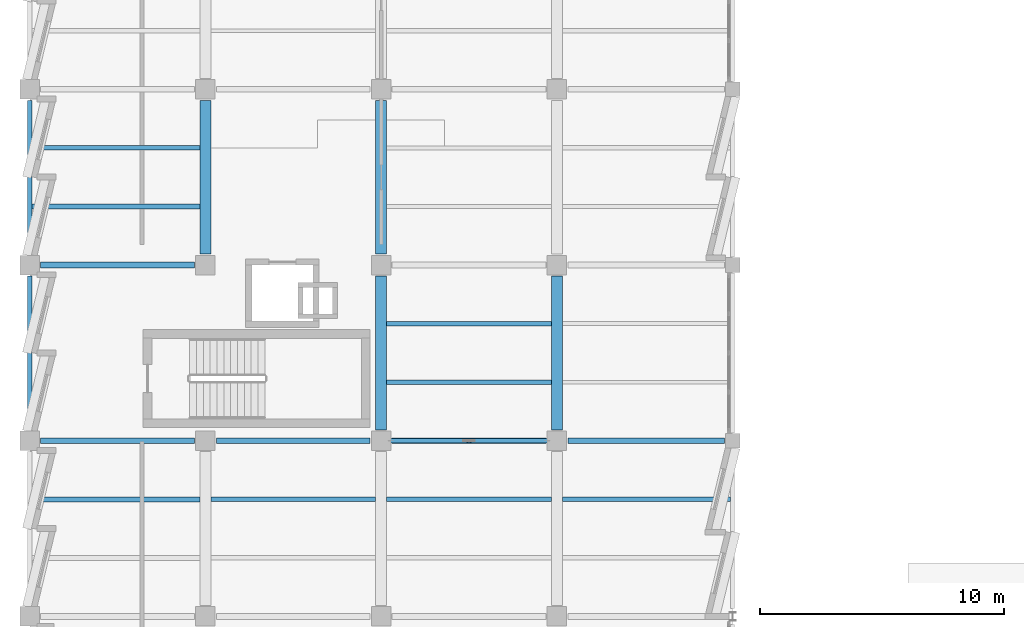
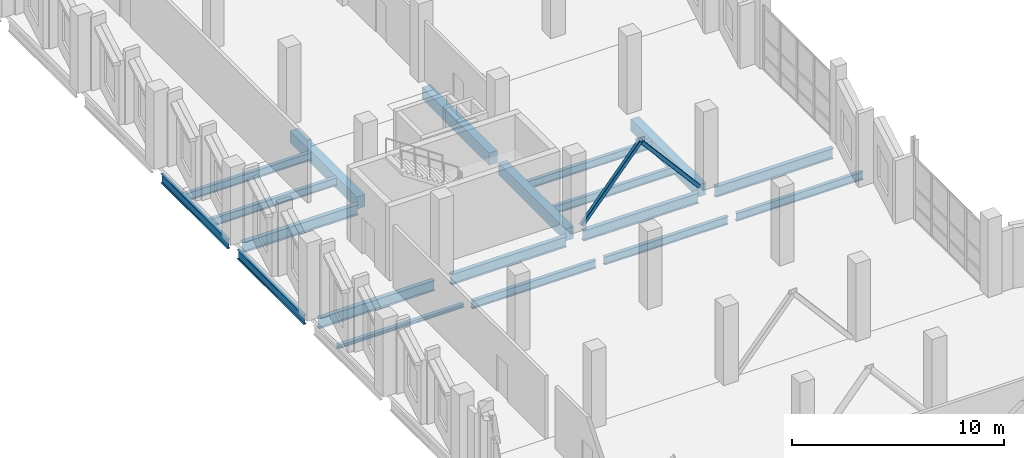
# One storey, part 31 of 123: 19 beams, 2 members.
"""IFC4 building model written with IfcOpenShell, lengths in metres."""

import ifcopenshell
import ifcopenshell.guid

model = None  # the IFC model being written
_history = None  # IfcOwnerHistory: only IFC2X3 demands one
_inside = {}  # id of a spatial element -> (the spatial element, [elements in it])
_under = {}  # id of a project, library or spatial element -> (it, [spatial elements below it])
_declared = {}  # id of a project -> (the project, [libraries it declares])
_typed = {}  # id of a type object -> (the type object, [elements of that type])
_made_of = {}  # id of a material, layer set ... -> (it, [elements and type objects made of it])


def new_model(schema):
    """Start an empty IFC model of exactly this schema.

    Asked for "IFC4X3", IfcOpenShell would pick the latest addendum, in which some entities
    have other attributes; the version numbers below select the first issue.
    IFC2X3 requires an IfcOwnerHistory on every rooted entity: one is made here for all.
    """
    global model, _history
    if schema == "IFC4X3":
        model = ifcopenshell.file(schema_version=(4, 3, 0, 0))
    else:
        model = ifcopenshell.file(schema=schema)
    _inside.clear()
    _under.clear()
    _declared.clear()
    _typed.clear()
    _made_of.clear()
    _history = None
    if model.schema == "IFC2X3":
        org = make("IfcOrganization", Name="unknown")
        user = make(
            "IfcPersonAndOrganization",
            ThePerson=make("IfcPerson", FamilyName="unknown"),
            TheOrganization=org,
        )
        app = make(
            "IfcApplication",
            ApplicationDeveloper=org,
            Version="unknown",
            ApplicationFullName="unknown",
            ApplicationIdentifier="unknown",
        )
        _history = make(
            "IfcOwnerHistory",
            OwningUser=user,
            OwningApplication=app,
            ChangeAction="ADDED",
            CreationDate=0,
        )
    return model


def make(cls, **values):
    """One entity of the class cls with the attributes given. An attribute that is None is left unset."""
    return model.create_entity(
        cls, **{name: value for name, value in values.items() if value is not None}
    )


def rooted(cls, **values):
    """An entity with a GlobalId (a new one), such as an element, a storey or a relation."""
    return make(cls, GlobalId=ifcopenshell.guid.new(), OwnerHistory=_history, **values)


def si_unit(unit_type, name, prefix=None):
    """IfcSIUnit, for example si_unit("LENGTHUNIT", "METRE", prefix="MILLI")."""
    return make("IfcSIUnit", UnitType=unit_type, Prefix=prefix, Name=name)


def assignment(units):
    """IfcUnitAssignment: the units of a project."""
    return None if units is None else make("IfcUnitAssignment", Units=units)


def point(xyz):
    """IfcCartesianPoint."""
    return None if xyz is None else make("IfcCartesianPoint", Coordinates=xyz)


def direction(xyz):
    """IfcDirection."""
    return None if xyz is None else make("IfcDirection", DirectionRatios=xyz)


def frame(location, z_axis=None, x_axis=None):
    """IfcAxis2Placement3D, a coordinate frame: its origin and axes. An axis left out is left unset."""
    return make(
        "IfcAxis2Placement3D",
        Location=point(location),
        Axis=direction(z_axis),
        RefDirection=direction(x_axis),
    )


def frame_2d(location, x_axis=None):
    """IfcAxis2Placement2D, a coordinate frame in the plane: its origin and x axis."""
    return make(
        "IfcAxis2Placement2D", Location=point(location), RefDirection=direction(x_axis)
    )


def origin():
    """The frame at (0, 0, 0) with its axes left unset."""
    return frame((0.0, 0.0, 0.0))


def origin_2d():
    """The frame at (0, 0) in the plane with its x axis left unset."""
    return frame_2d((0.0, 0.0))


def place(relative_to, where):
    """IfcLocalPlacement: puts the frame where relative to a parent placement (None: the world)."""
    return make(
        "IfcLocalPlacement", PlacementRelTo=relative_to, RelativePlacement=where
    )


def context(
    kind, dimensions, precision=None, world=None, true_north=None, identifier=None
):
    """IfcGeometricRepresentationContext, for example the 3D "Model" context."""
    return make(
        "IfcGeometricRepresentationContext",
        ContextIdentifier=identifier,
        ContextType=kind,
        CoordinateSpaceDimension=dimensions,
        Precision=precision,
        WorldCoordinateSystem=world,
        TrueNorth=true_north,
    )


def subcontext(parent, identifier, kind, view, scale=None):
    """IfcGeometricRepresentationSubContext, for example "Body" below "Model"."""
    return make(
        "IfcGeometricRepresentationSubContext",
        ContextIdentifier=identifier,
        ContextType=kind,
        ParentContext=parent,
        TargetScale=scale,
        TargetView=view,
    )


def project(units=None, contexts=None):
    """IfcProject with its units and contexts."""
    return rooted(
        "IfcProject",
        Name="project",
        RepresentationContexts=contexts,
        UnitsInContext=assignment(units),
    )


def spatial(cls, under=None, at=None, **own):
    """A site, building, storey or space (cls), placed at a placement, below another one or the project."""
    s = rooted(cls, ObjectPlacement=at, **own)
    if under is not None:
        _under.setdefault(under.id(), (under, []))[1].append(s)
    return s


def profile(cls, at=None, kind="AREA", **sizes):
    """A parametric profile (cls). Its sizes go by their IFC names, for example OverallWidth=200.0."""
    return make(cls, ProfileType=kind, Position=at, **sizes)


def rectangle(**sizes):
    """IfcRectangleProfileDef."""
    return profile("IfcRectangleProfileDef", **sizes)


def hollow_rectangle(**sizes):
    """IfcRectangleHollowProfileDef."""
    return profile("IfcRectangleHollowProfileDef", **sizes)


def i_section(**sizes):
    """IfcIShapeProfileDef."""
    return profile("IfcIShapeProfileDef", **sizes)


def extrude(swept, where, along, depth):
    """IfcExtrudedAreaSolid: the profile swept, set in the frame where, extruded along a direction by depth."""
    return make(
        "IfcExtrudedAreaSolid",
        SweptArea=swept,
        Position=where,
        ExtrudedDirection=direction(along),
        Depth=depth,
    )


def shape(context_of_items, identifier, shape_type, items):
    """IfcShapeRepresentation: the items that make up one representation, for example the "Body"."""
    return make(
        "IfcShapeRepresentation",
        ContextOfItems=context_of_items,
        RepresentationIdentifier=identifier,
        RepresentationType=shape_type,
        Items=items,
    )


def material(Name=None, Category=None):
    """IfcMaterial."""
    return make("IfcMaterial", Name=Name, Category=Category)


def material_profile(
    of_material, cross_section, Name=None, Category=None, Priority=None
):
    """IfcMaterialProfile: a cross section and its material."""
    return make(
        "IfcMaterialProfile",
        Name=Name,
        Material=of_material,
        Profile=cross_section,
        Priority=Priority,
        Category=Category,
    )


def profile_set(profiles, Name=None, composite=None):
    """IfcMaterialProfileSet."""
    return make(
        "IfcMaterialProfileSet",
        Name=Name,
        MaterialProfiles=profiles,
        CompositeProfile=composite,
    )


def made_of(thing, what):
    """Note that an element or type object is made of a material, layer set ...; save() writes the relation."""
    if what is not None:
        _made_of.setdefault(what.id(), (what, []))[1].append(thing)
    return thing


def type_object(cls, material=None, **own):
    """A type object (cls), such as IfcWallType, which elements share."""
    return made_of(rooted(cls, **own), material)


def element(
    cls,
    number,
    at=None,
    inside=None,
    cuts=None,
    type_object=None,
    material=None,
    context=None,
    identifier="Body",
    shape_type=None,
    held_by="IfcProductDefinitionShape",
    body=None,
    shapes=None,
    **own,
):
    """One element of the class cls, such as IfcWall. Its Tag is "e" and its number.

    at: its placement. inside: the storey or other place that contains it. cuts: it is an
    opening in that element (IfcRelVoidsElement). A single representation is given by context,
    identifier, shape_type and body (its items); several are given by shapes. held_by: the class
    of the entity that holds the representations. save() writes the other relations.
    """
    e = rooted(cls, Tag="e%d" % number, ObjectPlacement=at, **own)
    if body is not None:
        shapes = [shape(context, identifier, shape_type, body)]
    if shapes is not None:
        e.Representation = make(held_by, Representations=shapes)
    if inside is not None:
        _inside.setdefault(inside.id(), (inside, []))[1].append(e)
    if cuts is not None:
        rooted(
            "IfcRelVoidsElement", RelatingBuildingElement=cuts, RelatedOpeningElement=e
        )
    if type_object is not None:
        _typed.setdefault(type_object.id(), (type_object, []))[1].append(e)
    return made_of(e, material)


def aggregate(whole, parts):
    """IfcRelAggregates: a whole, such as a stair, and the parts it consists of."""
    return rooted("IfcRelAggregates", RelatingObject=whole, RelatedObjects=parts)


def save(model, path):
    """Write the relations noted so far, then the file.

    IfcRelAggregates (storeys below a building ...), IfcRelContainedInSpatialStructure (elements
    in a storey), IfcRelDefinesByType, IfcRelAssociatesMaterial and IfcRelDeclares: one each for
    every whole, place, type object, material and project.
    """
    for whole, parts in _under.values():
        aggregate(whole, parts)
    for where, things in _inside.values():
        rooted(
            "IfcRelContainedInSpatialStructure",
            RelatedElements=things,
            RelatingStructure=where,
        )
    for kind, things in _typed.values():
        rooted("IfcRelDefinesByType", RelatedObjects=things, RelatingType=kind)
    for what, things in _made_of.values():
        rooted("IfcRelAssociatesMaterial", RelatedObjects=things, RelatingMaterial=what)
    for by, libraries in _declared.values():
        rooted("IfcRelDeclares", RelatingContext=by, RelatedDefinitions=libraries)
    model.write(path)


model = new_model("IFC4")

# Units and contexts
model_context = context("Model", 3, precision=1e-05, world=origin(), true_north=direction((0.0, 1.0)))
body_context = subcontext(model_context, "Body", "Model", "MODEL_VIEW")
ifc_project = project(units=[si_unit("LENGTHUNIT", "METRE"), si_unit("AREAUNIT", "SQUARE_METRE"), si_unit("VOLUMEUNIT", "CUBIC_METRE"), si_unit("PLANEANGLEUNIT", "RADIAN"), si_unit("MASSUNIT", "GRAM", prefix="KILO")], contexts=[model_context])

# Site, building, storey
site_placement = place(None, origin())
site = spatial("IfcSite", under=ifc_project, at=site_placement, CompositionType="ELEMENT")
building_placement = place(site_placement, origin())
building = spatial("IfcBuilding", under=site, at=building_placement, Name="Kalmorath City Hall", CompositionType="ELEMENT")
storey_placement = place(building_placement, frame((0.0, 0.0, 10.199951171875)))
storey = spatial("IfcBuildingStorey", under=building, at=storey_placement, Name="L02", CompositionType="ELEMENT", Elevation=10.199951171875)

# Beams
ifc_material_1 = material(Name="Concrete C40/50", Category="concrete")
ifc_material_profile_1 = material_profile(ifc_material_1, rectangle(XDim=0.449951171875, YDim=0.699951171875, at=origin_2d()), Name="RC-BM-450X700")
ifc_profile_set_1 = profile_set([ifc_material_profile_1], Name="Concrete C40/50")
beam_type_1 = type_object("IfcBeamType", Name="Concrete floor beam 450x700", PredefinedType="BEAM", material=ifc_profile_set_1)
beam_1_placement = place(storey_placement, frame((7.199951171875, 58.050048828125, -0.634033203125), z_axis=(0.0, 1.0, 0.0), x_axis=(-1.0, 0.0, 0.0)))
element("IfcBeam", 1, at=beam_1_placement, inside=storey, type_object=beam_type_1, Name="L02 girder CB4 Y2/9-10", PredefinedType="BEAM", context=body_context, shape_type="SweptSolid", body=[
    extrude(rectangle(XDim=0.449951171875, YDim=0.699951171875, at=origin_2d()), origin(), (0.0, 0.0, 1.0), 6.300048828125),
])
beam_2_placement = place(storey_placement, frame((14.39990234375, 50.85009765625, -0.634033203125), z_axis=(0.0, 1.0, 0.0), x_axis=(-1.0, 0.0, 0.0)))
element("IfcBeam", 2, at=beam_2_placement, inside=storey, type_object=beam_type_1, Name="L02 girder CB4 Y3/8-9", PredefinedType="BEAM", context=body_context, shape_type="SweptSolid", body=[
    extrude(rectangle(XDim=0.449951171875, YDim=0.699951171875, at=origin_2d()), origin(), (0.0, 0.0, 1.0), 6.2998046875),
])
beam_3_placement = place(storey_placement, frame((14.39990234375, 58.050048828125, -0.634033203125), z_axis=(0.0, 1.0, 0.0), x_axis=(-1.0, 0.0, 0.0)))
element("IfcBeam", 3, at=beam_3_placement, inside=storey, type_object=beam_type_1, Name="L02 girder CB4 Y3/9-10", PredefinedType="BEAM", context=body_context, shape_type="SweptSolid", body=[
    extrude(rectangle(XDim=0.449951171875, YDim=0.699951171875, at=origin_2d()), origin(), (0.0, 0.0, 1.0), 6.300048828125),
])
beam_4_placement = place(storey_placement, frame((21.60009765625, 50.85009765625, -0.634033203125), z_axis=(0.0, 1.0, 0.0), x_axis=(-1.0, 0.0, 0.0)))
element("IfcBeam", 4, at=beam_4_placement, inside=storey, type_object=beam_type_1, Name="L02 girder CB4 Y4/8-9", PredefinedType="BEAM", context=body_context, shape_type="SweptSolid", body=[
    extrude(rectangle(XDim=0.449951171875, YDim=0.699951171875, at=origin_2d()), origin(), (0.0, 0.0, 1.0), 6.2998046875),
])
ifc_material_2 = material(Name="Steel ASTM A992 Grade 50", Category="steel")
ifc_material_profile_2 = material_profile(ifc_material_2, i_section(OverallWidth=0.19091796875, OverallDepth=0.45703125, WebThickness=0.009033203125, FlangeThickness=0.014404296875, FilletRadius=0.013916015625, at=origin_2d()), Name="W18X50")
ifc_profile_set_2 = profile_set([ifc_material_profile_2], Name="Steel ASTM A992 Grade 50")
beam_type_2 = type_object("IfcBeamType", Name="Steel composite joist W18X50", PredefinedType="JOIST", material=ifc_profile_set_2)
for number, where, z_axis, x_axis, name in (
    (5, (14.625, 52.800048828125, -0.512451171875), (1.0, 0.0, 0.0), (0.0, 1.0, 0.0), "L02 joist SJ3 3.8.1"),
    (6, (14.625, 55.199951171875, -0.512451171875), (1.0, 0.0, 0.0), (0.0, 1.0, 0.0), "L02 joist SJ3 3.8.2"),
):
    element("IfcBeam", number, at=place(storey_placement, frame(where, z_axis=z_axis, x_axis=x_axis)), inside=storey, type_object=beam_type_2, Name=name, PredefinedType="JOIST", context=body_context, shape_type="SweptSolid", body=[
        extrude(i_section(OverallWidth=0.19091796875, OverallDepth=0.45703125, WebThickness=0.009033203125, FlangeThickness=0.014404296875, FilletRadius=0.013916015625, at=origin_2d()), origin(), (0.0, 0.0, 1.0), 6.75),
    ])
beam_5_placement = place(storey_placement, frame((21.824951171875, 48.0, -0.512451171875), z_axis=(1.0, 0.0, 0.0), x_axis=(0.0, 1.0, 0.0)))
element("IfcBeam", 7, at=beam_5_placement, inside=storey, type_object=beam_type_2, Name="L02 joist SJ3 4.7.2", PredefinedType="JOIST", context=body_context, shape_type="SweptSolid", body=[
    extrude(i_section(OverallWidth=0.19091796875, OverallDepth=0.45703125, WebThickness=0.009033203125, FlangeThickness=0.014404296875, FilletRadius=0.013916015625, at=origin_2d()), origin(), (0.0, 0.0, 1.0), 6.892578125),
])
ifc_material_3 = material(Name="Steel ASTM A992 Grade 50", Category="steel")
ifc_material_profile_3 = material_profile(ifc_material_3, i_section(OverallWidth=0.19091796875, OverallDepth=0.4599609375, WebThickness=0.010009765625, FlangeThickness=0.01611328125, FilletRadius=0.013916015625, at=origin_2d()), Name="W18X55")
ifc_profile_set_3 = profile_set([ifc_material_profile_3], Name="Steel ASTM A992 Grade 50")
beam_type_3 = type_object("IfcBeamType", Name="Steel composite joist W18X55", PredefinedType="JOIST", material=ifc_profile_set_3)
for number, where, z_axis, x_axis, name in (
    (8, (0.08251953125, 60.0, -0.513916015625), (1.0, 0.0, 0.0), (0.0, 1.0, 0.0), "L02 joist SJ2 1.9.1"),
    (9, (0.08251953125, 62.39990234375, -0.513916015625), (1.0, 0.0, 0.0), (0.0, 1.0, 0.0), "L02 joist SJ2 1.9.2"),
):
    element("IfcBeam", number, at=place(storey_placement, frame(where, z_axis=z_axis, x_axis=x_axis)), inside=storey, type_object=beam_type_3, Name=name, PredefinedType="JOIST", context=body_context, shape_type="SweptSolid", body=[
        extrude(i_section(OverallWidth=0.19091796875, OverallDepth=0.4599609375, WebThickness=0.010009765625, FlangeThickness=0.01611328125, FilletRadius=0.013916015625, at=origin_2d()), origin(), (0.0, 0.0, 1.0), 6.892578125),
    ])
beam_6_placement = place(storey_placement, frame((14.625, 48.0, -0.513916015625), z_axis=(1.0, 0.0, 0.0), x_axis=(0.0, 1.0, 0.0)))
element("IfcBeam", 10, at=beam_6_placement, inside=storey, type_object=beam_type_3, Name="L02 joist SJ2 3.7.2", PredefinedType="JOIST", context=body_context, shape_type="SweptSolid", body=[
    extrude(i_section(OverallWidth=0.19091796875, OverallDepth=0.4599609375, WebThickness=0.010009765625, FlangeThickness=0.01611328125, FilletRadius=0.013916015625, at=origin_2d()), origin(), (0.0, 0.0, 1.0), 6.75),
])
ifc_material_4 = material(Name="Steel ASTM A992 Grade 50", Category="steel")
ifc_material_profile_4 = material_profile(ifc_material_4, i_section(OverallWidth=0.193115234375, OverallDepth=0.466064453125, WebThickness=0.011474609375, FlangeThickness=0.01904296875, FilletRadius=0.013916015625, at=origin_2d()), Name="W18X65")
ifc_profile_set_4 = profile_set([ifc_material_profile_4], Name="Steel ASTM A992 Grade 50")
beam_type_4 = type_object("IfcBeamType", Name="Steel composite joist W18X65", PredefinedType="JOIST", material=ifc_profile_set_4)
beam_7_placement = place(storey_placement, frame((7.425048828125, 48.0, -0.516845703125), z_axis=(1.0, 0.0, 0.0), x_axis=(0.0, 1.0, 0.0)))
element("IfcBeam", 11, at=beam_7_placement, inside=storey, type_object=beam_type_4, Name="L02 joist SJ1 2.7.2", PredefinedType="JOIST", context=body_context, shape_type="SweptSolid", body=[
    extrude(i_section(OverallWidth=0.193115234375, OverallDepth=0.466064453125, WebThickness=0.011474609375, FlangeThickness=0.01904296875, FilletRadius=0.013916015625, at=origin_2d()), origin(), (0.0, 0.0, 1.0), 6.75),
])
ifc_material_5 = material(Name="Steel ASTM A992 Grade 50", Category="steel")
ifc_material_profile_5 = material_profile(ifc_material_5, i_section(OverallWidth=0.202880859375, OverallDepth=0.202880859375, WebThickness=0.007080078125, FlangeThickness=0.010986328125, FilletRadius=0.010986328125, at=origin_2d()), Name="W8X31")
ifc_profile_set_5 = profile_set([ifc_material_profile_5], Name="Steel ASTM A992 Grade 50")
beam_type_5 = type_object("IfcBeamType", Name="Steel edge trimmer W8X31", PredefinedType="LINTEL", material=ifc_profile_set_5)
beam_8_placement = place(storey_placement, frame((0.08251953125, 48.0, -0.385498046875), z_axis=(1.0, 0.0, 0.0), x_axis=(0.0, 1.0, 0.0)))
element("IfcBeam", 12, at=beam_8_placement, inside=storey, type_object=beam_type_5, Name="L02 joist SJ16 1.7.2", PredefinedType="LINTEL", context=body_context, shape_type="SweptSolid", body=[
    extrude(i_section(OverallWidth=0.202880859375, OverallDepth=0.202880859375, WebThickness=0.007080078125, FlangeThickness=0.010986328125, FilletRadius=0.010986328125, at=origin_2d()), origin(), (0.0, 0.0, 1.0), 6.892578125),
])
ifc_material_6 = material(Name="Steel ASTM A992 Grade 50", Category="steel")
ifc_material_profile_6 = material_profile(ifc_material_6, i_section(OverallWidth=0.22900390625, OverallDepth=0.612060546875, WebThickness=0.011962890625, FlangeThickness=0.01953125, FilletRadius=0.01611328125, at=origin_2d()), Name="W24X84")
ifc_profile_set_6 = profile_set([ifc_material_profile_6], Name="Steel ASTM A992 Grade 50")
beam_type_6 = type_object("IfcBeamType", Name="Steel floor girder W24X84", PredefinedType="BEAM", material=ifc_profile_set_6)
for number, where, z_axis, x_axis, name in (
    (13, (0.449951171875, 50.39990234375, -0.58984375), (1.0, 0.0, 0.0), (0.0, 1.0, 0.0), "L02 girder SG8 X1-2/8"),
    (14, (7.64990234375, 50.39990234375, -0.58984375), (1.0, 0.0, 0.0), (0.0, 1.0, 0.0), "L02 girder SG8 X2-3/8"),
):
    element("IfcBeam", number, at=place(storey_placement, frame(where, z_axis=z_axis, x_axis=x_axis)), inside=storey, type_object=beam_type_6, Name=name, PredefinedType="BEAM", context=body_context, shape_type="SweptSolid", body=[
        extrude(i_section(OverallWidth=0.22900390625, OverallDepth=0.612060546875, WebThickness=0.011962890625, FlangeThickness=0.01953125, FilletRadius=0.01611328125, at=origin_2d()), origin(), (0.0, 0.0, 1.0), 6.300048828125),
    ])
beam_9_placement = place(storey_placement, frame((14.85009765625, 50.39990234375, -0.58984375), z_axis=(1.0, 0.0, 0.0), x_axis=(0.0, 1.0, 0.0)))
element("IfcBeam", 15, at=beam_9_placement, inside=storey, type_object=beam_type_6, Name="L02 girder SG8 X3-4/8", PredefinedType="BEAM", context=body_context, shape_type="SweptSolid", body=[
    extrude(i_section(OverallWidth=0.22900390625, OverallDepth=0.612060546875, WebThickness=0.011962890625, FlangeThickness=0.01953125, FilletRadius=0.01611328125, at=origin_2d()), origin(), (0.0, 0.0, 1.0), 6.2998046875),
])
beam_10_placement = place(storey_placement, frame((22.050048828125, 50.39990234375, -0.58984375), z_axis=(1.0, 0.0, 0.0), x_axis=(0.0, 1.0, 0.0)))
element("IfcBeam", 16, at=beam_10_placement, inside=storey, type_object=beam_type_6, Name="L02 girder SG8 X4-5/8", PredefinedType="BEAM", context=body_context, shape_type="SweptSolid", body=[
    extrude(i_section(OverallWidth=0.22900390625, OverallDepth=0.612060546875, WebThickness=0.011962890625, FlangeThickness=0.01953125, FilletRadius=0.01611328125, at=origin_2d()), origin(), (0.0, 0.0, 1.0), 6.425048828125),
])
beam_11_placement = place(storey_placement, frame((0.449951171875, 57.60009765625, -0.58984375), z_axis=(1.0, 0.0, 0.0), x_axis=(0.0, 1.0, 0.0)))
element("IfcBeam", 17, at=beam_11_placement, inside=storey, type_object=beam_type_6, Name="L02 girder SG8 X1-2/9", PredefinedType="BEAM", context=body_context, shape_type="SweptSolid", body=[
    extrude(i_section(OverallWidth=0.22900390625, OverallDepth=0.612060546875, WebThickness=0.011962890625, FlangeThickness=0.01953125, FilletRadius=0.01611328125, at=origin_2d()), origin(), (0.0, 0.0, 1.0), 6.300048828125),
])

# Members
ifc_material_7 = material(Name="Steel ASTM A500 Grade C", Category="steel")
ifc_material_profile_7 = material_profile(ifc_material_7, hollow_rectangle(XDim=0.202880859375, YDim=0.202880859375, WallThickness=0.01171875, InnerFilletRadius=0.01171875, OuterFilletRadius=0.023681640625, at=origin_2d()), Name="HSS203X203X12.7")
ifc_profile_set_7 = profile_set([ifc_material_profile_7], Name="Steel ASTM A500 Grade C")
member_type = type_object("IfcMemberType", Name="Steel seismic chevron brace HSS203X203X12.7", PredefinedType="BRACE", material=ifc_profile_set_7)
for number, where, z_axis, x_axis, name in (
    (18, (14.800048828125, 50.39990234375, 0.0), (0.650117130279, 0.0, 0.75983400616), (0.0, 1.0, 0.0), "L02 chevron brace BR2 3A"),
    (19, (21.199951171875, 50.39990234375, 0.0), (-0.650117130279, 0.0, 0.75983400616), (0.0, -1.0, 0.0), "L02 chevron brace BR2 3B"),
):
    element("IfcMember", number, at=place(storey_placement, frame(where, z_axis=z_axis, x_axis=x_axis)), inside=storey, type_object=member_type, Name=name, PredefinedType="BRACE", context=body_context, shape_type="SweptSolid", body=[
        extrude(hollow_rectangle(XDim=0.202880859375, YDim=0.202880859375, WallThickness=0.01171875, InnerFilletRadius=0.01171875, OuterFilletRadius=0.023681640625, at=origin_2d()), origin(), (0.0, 0.0, 1.0), 4.922119140625),
    ])

# Beams
ifc_material_8 = material(Name="Steel ASTM A992 Grade 50", Category="steel")
ifc_material_profile_8 = material_profile(ifc_material_8, i_section(OverallWidth=0.1650390625, OverallDepth=0.52490234375, WebThickness=0.0087890625, FlangeThickness=0.011474609375, FilletRadius=0.014892578125, at=origin_2d()), Name="W21X44")
ifc_profile_set_8 = profile_set([ifc_material_profile_8], Name="Steel ASTM A992 Grade 50")
beam_type_7 = type_object("IfcBeamType", Name="Steel spandrel beam W21X44", PredefinedType="SPANDREL", material=ifc_profile_set_8)
beam_12_placement = place(storey_placement, frame((0.0, 50.85009765625, -0.54638671875), z_axis=(0.0, 1.0, 0.0), x_axis=(-1.0, 0.0, 0.0)))
element("IfcBeam", 20, at=beam_12_placement, inside=storey, type_object=beam_type_7, Name="L02 girder SB4 Y1/8-9", PredefinedType="SPANDREL", context=body_context, shape_type="SweptSolid", body=[
    extrude(i_section(OverallWidth=0.1650390625, OverallDepth=0.52490234375, WebThickness=0.0087890625, FlangeThickness=0.011474609375, FilletRadius=0.014892578125, at=origin_2d()), origin(), (0.0, 0.0, 1.0), 6.2998046875),
])
beam_13_placement = place(storey_placement, frame((0.0, 58.050048828125, -0.54638671875), z_axis=(0.0, 1.0, 0.0), x_axis=(-1.0, 0.0, 0.0)))
element("IfcBeam", 21, at=beam_13_placement, inside=storey, type_object=beam_type_7, Name="L02 girder SB4 Y1/9-10", PredefinedType="SPANDREL", context=body_context, shape_type="SweptSolid", body=[
    extrude(i_section(OverallWidth=0.1650390625, OverallDepth=0.52490234375, WebThickness=0.0087890625, FlangeThickness=0.011474609375, FilletRadius=0.014892578125, at=origin_2d()), origin(), (0.0, 0.0, 1.0), 6.300048828125),
])

save(model, "model.ifc")
